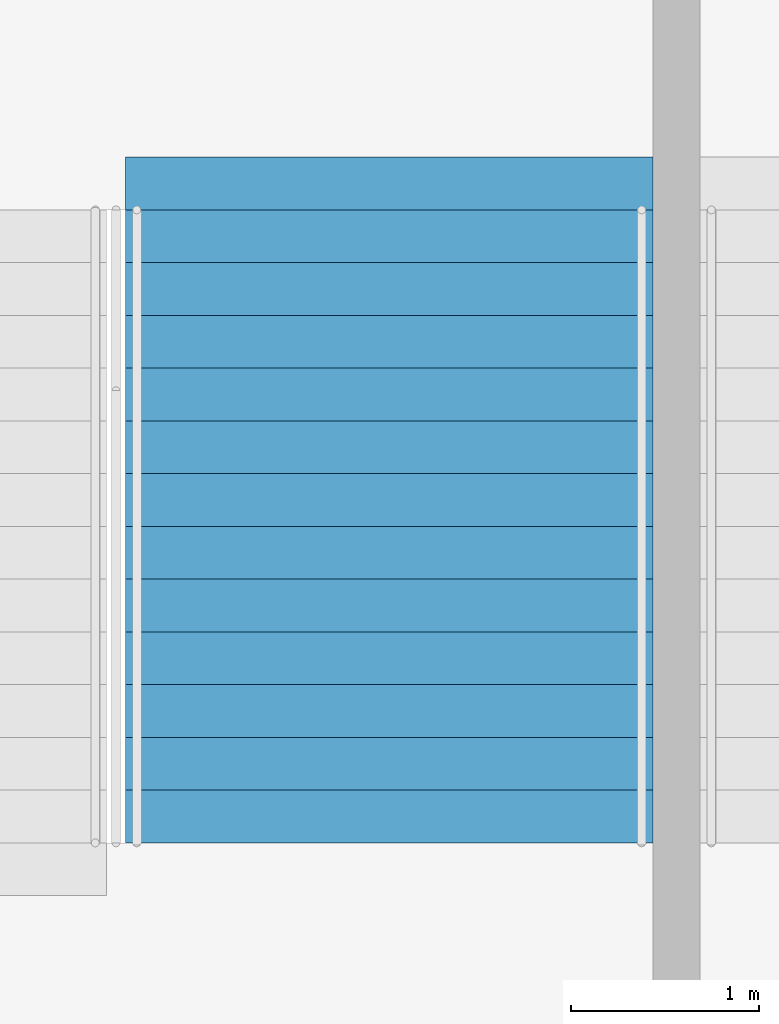
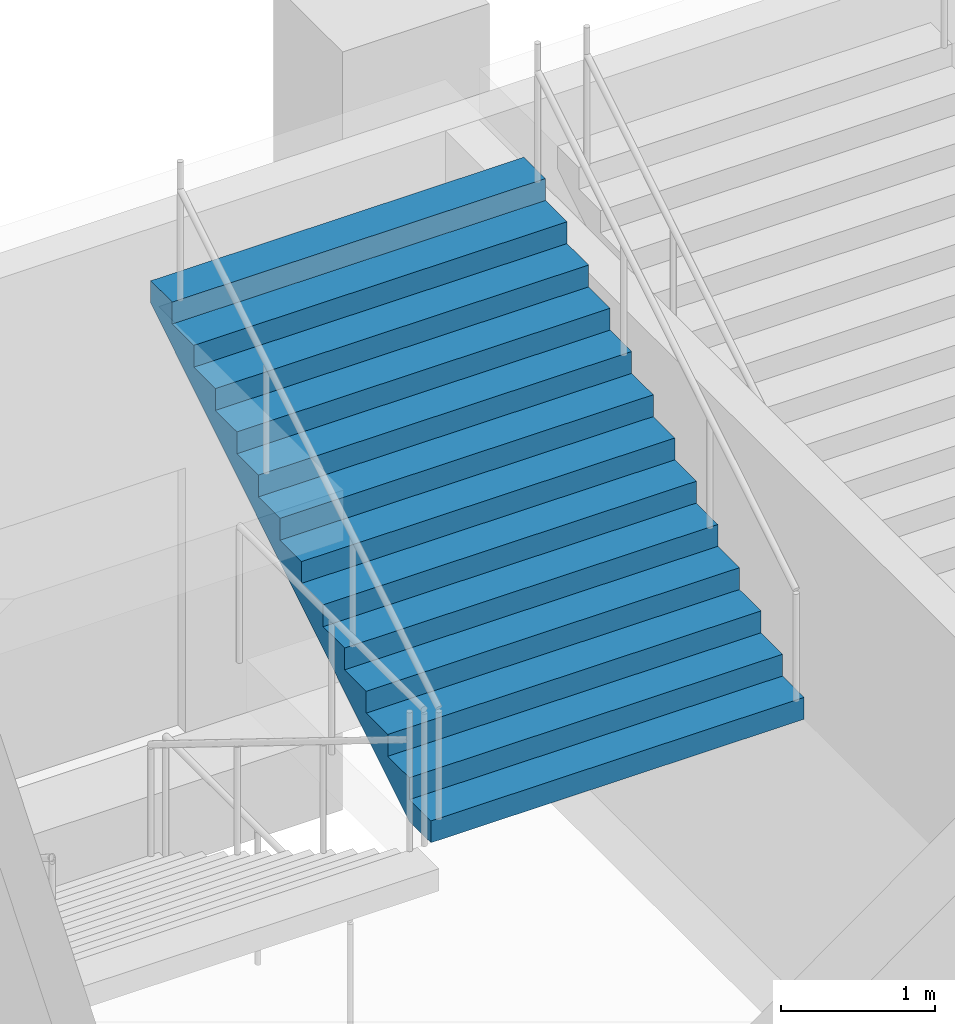
# One storey, part 103 of 177: 1 stair flight, 1 element without a shape of its own.
"""IFC4 building model written with IfcOpenShell, lengths in metres."""

from ifc_helpers import new_model, si_unit, direction, frame, origin, place, context, subcontext, project, spatial, faceted_brep, material, type_object, element, aggregate, save


model = new_model("IFC4")

# Units and contexts
model_context = context("Model", 3, precision=1e-05, world=origin(), true_north=direction((0.0, 1.0)))
body_context = subcontext(model_context, "Body", "Model", "MODEL_VIEW")
ifc_project = project(units=[si_unit("LENGTHUNIT", "METRE"), si_unit("AREAUNIT", "SQUARE_METRE"), si_unit("VOLUMEUNIT", "CUBIC_METRE"), si_unit("PLANEANGLEUNIT", "RADIAN"), si_unit("MASSUNIT", "GRAM", prefix="KILO")], contexts=[model_context])

# Site, building, storey
site_placement = place(None, origin())
site = spatial("IfcSite", under=ifc_project, at=site_placement, CompositionType="ELEMENT")
building_placement = place(site_placement, origin())
building = spatial("IfcBuilding", under=site, at=building_placement, Name="Ogive Plaza Stadium", CompositionType="ELEMENT")
storey_placement = place(building_placement, frame((0.0, 0.0, 18.0)))
storey = spatial("IfcBuildingStorey", under=building, at=storey_placement, Name="L04", CompositionType="ELEMENT", Elevation=18.0)

# Stair, stair flight
ifc_material_1 = material(Name="Concrete C40/50", Category="concrete")
stair_type = type_object("IfcStairType", Name="Exit stair", PredefinedType="STRAIGHT_RUN_STAIR", material=ifc_material_1)
stair_placement = place(storey_placement, origin())
stair = element("IfcStair", 1, at=stair_placement, inside=storey, type_object=stair_type, Name="Exit stair ST12A L04 to L05", PredefinedType="STRAIGHT_RUN_STAIR")
ifc_material_2 = material(Name="Concrete C40/50", Category="concrete")
stair_flight_type = type_object("IfcStairFlightType", Name="Exit stair flight", PredefinedType="STRAIGHT", material=ifc_material_2)
stair_flight_placement = place(storey_placement, frame((32.47509765625, -98.2099609375, 2.25), z_axis=(0.0, 0.0, 1.0), x_axis=(0.0, 1.0, 0.0)))
stair_flight = element("IfcStairFlight", 2, at=stair_flight_placement, type_object=stair_flight_type, Name="ST12A flight 2", NumberOfRisers=13, NumberOfTreads=12, PredefinedType="STRAIGHT", RiserHeight=0.173076923, TreadLength=0.28, context=body_context, shape_type="Brep", body=[
    faceted_brep([(0.28515625, -1.39990234375, 0.0), (3.639892578125, -1.39990234375, 2.07373046875), (3.639892578125, -1.39990234375, 2.25), (3.360107421875, -1.39990234375, 2.25), (3.360107421875, -1.39990234375, 2.076904296875), (3.080078125, -1.39990234375, 2.076904296875), (3.080078125, -1.39990234375, 1.90380859375), (2.800048828125, -1.39990234375, 1.90380859375), (2.800048828125, -1.39990234375, 1.730712890625), (2.52001953125, -1.39990234375, 1.730712890625), (2.52001953125, -1.39990234375, 1.5576171875), (2.239990234375, -1.39990234375, 1.5576171875), (2.239990234375, -1.39990234375, 1.384521484375), (1.9599609375, -1.39990234375, 1.384521484375), (1.9599609375, -1.39990234375, 1.21142578125), (1.679931640625, -1.39990234375, 1.21142578125), (1.679931640625, -1.39990234375, 1.03857421875), (1.39990234375, -1.39990234375, 1.03857421875), (1.39990234375, -1.39990234375, 0.865478515625), (1.1201171875, -1.39990234375, 0.865478515625), (1.1201171875, -1.39990234375, 0.6923828125), (0.840087890625, -1.39990234375, 0.6923828125), (0.840087890625, -1.39990234375, 0.519287109375), (0.56005859375, -1.39990234375, 0.519287109375), (0.56005859375, -1.39990234375, 0.34619140625), (0.280029296875, -1.39990234375, 0.34619140625), (0.280029296875, -1.39990234375, 0.173095703125), (0.0, -1.39990234375, 0.173095703125), (0.0, -1.39990234375, 0.0), (0.0, 1.39990234375, 0.0), (0.0, 1.39990234375, 0.173095703125), (0.280029296875, 1.39990234375, 0.173095703125), (0.280029296875, 1.39990234375, 0.34619140625), (0.56005859375, 1.39990234375, 0.34619140625), (0.56005859375, 1.39990234375, 0.519287109375), (0.840087890625, 1.39990234375, 0.519287109375), (0.840087890625, 1.39990234375, 0.6923828125), (1.1201171875, 1.39990234375, 0.6923828125), (1.1201171875, 1.39990234375, 0.865478515625), (1.39990234375, 1.39990234375, 0.865478515625), (1.39990234375, 1.39990234375, 1.03857421875), (1.679931640625, 1.39990234375, 1.03857421875), (1.679931640625, 1.39990234375, 1.21142578125), (1.9599609375, 1.39990234375, 1.21142578125), (1.9599609375, 1.39990234375, 1.384521484375), (2.239990234375, 1.39990234375, 1.384521484375), (2.239990234375, 1.39990234375, 1.5576171875), (2.52001953125, 1.39990234375, 1.5576171875), (2.52001953125, 1.39990234375, 1.730712890625), (2.800048828125, 1.39990234375, 1.730712890625), (2.800048828125, 1.39990234375, 1.90380859375), (3.080078125, 1.39990234375, 1.90380859375), (3.080078125, 1.39990234375, 2.076904296875), (3.360107421875, 1.39990234375, 2.076904296875), (3.360107421875, 1.39990234375, 2.25), (3.639892578125, 1.39990234375, 2.25), (3.639892578125, 1.39990234375, 2.07373046875), (0.28515625, 1.39990234375, 0.0), (0.28515625, -1.0888671875, 0.0), (3.639892578125, -1.0888671875, 2.07373046875), (0.28515625, -0.77783203125, 0.0), (3.639892578125, -0.77783203125, 2.07373046875), (0.28515625, -0.466796875, 0.0), (3.639892578125, -0.466796875, 2.07373046875), (0.28515625, -0.155517578125, 0.0), (3.639892578125, -0.155517578125, 2.07373046875), (0.28515625, 0.155517578125, 0.0), (3.639892578125, 0.155517578125, 2.07373046875), (0.28515625, 0.466796875, 0.0), (3.639892578125, 0.466796875, 2.07373046875), (0.28515625, 0.77783203125, 0.0), (3.639892578125, 0.77783203125, 2.07373046875), (0.28515625, 1.0888671875, 0.0), (3.639892578125, 1.0888671875, 2.07373046875), (3.639892578125, -1.0888671875, 2.25), (3.639892578125, -0.77783203125, 2.25), (3.639892578125, -0.466796875, 2.25), (3.639892578125, -0.155517578125, 2.25), (3.639892578125, 0.155517578125, 2.25), (3.639892578125, 0.466796875, 2.25), (3.639892578125, 0.77783203125, 2.25), (3.639892578125, 1.0888671875, 2.25), (3.360107421875, -1.0888671875, 2.25), (3.360107421875, -0.77783203125, 2.25), (3.360107421875, -0.466796875, 2.25), (3.360107421875, -0.155517578125, 2.25), (3.360107421875, 0.155517578125, 2.25), (3.360107421875, 0.466796875, 2.25), (3.360107421875, 0.77783203125, 2.25), (3.360107421875, 1.0888671875, 2.25), (3.360107421875, -1.0888671875, 2.076904296875), (3.360107421875, -0.77783203125, 2.076904296875), (3.360107421875, -0.466796875, 2.076904296875), (3.360107421875, -0.155517578125, 2.076904296875), (3.360107421875, 0.155517578125, 2.076904296875), (3.360107421875, 0.466796875, 2.076904296875), (3.360107421875, 0.77783203125, 2.076904296875), (3.360107421875, 1.0888671875, 2.076904296875), (3.080078125, -1.0888671875, 2.076904296875), (3.080078125, -0.77783203125, 2.076904296875), (3.080078125, -0.466796875, 2.076904296875), (3.080078125, -0.155517578125, 2.076904296875), (3.080078125, 0.155517578125, 2.076904296875), (3.080078125, 0.466796875, 2.076904296875), (3.080078125, 0.77783203125, 2.076904296875), (3.080078125, 1.0888671875, 2.076904296875), (3.080078125, -1.0888671875, 1.90380859375), (3.080078125, -0.77783203125, 1.90380859375), (3.080078125, -0.466796875, 1.90380859375), (3.080078125, -0.155517578125, 1.90380859375), (3.080078125, 0.155517578125, 1.90380859375), (3.080078125, 0.466796875, 1.90380859375), (3.080078125, 0.77783203125, 1.90380859375), (3.080078125, 1.0888671875, 1.90380859375), (2.800048828125, -1.0888671875, 1.90380859375), (2.800048828125, -0.77783203125, 1.90380859375), (2.800048828125, -0.466796875, 1.90380859375), (2.800048828125, -0.155517578125, 1.90380859375), (2.800048828125, 0.155517578125, 1.90380859375), (2.800048828125, 0.466796875, 1.90380859375), (2.800048828125, 0.77783203125, 1.90380859375), (2.800048828125, 1.0888671875, 1.90380859375), (2.800048828125, -1.0888671875, 1.730712890625), (2.800048828125, -0.77783203125, 1.730712890625), (2.800048828125, -0.466796875, 1.730712890625), (2.800048828125, -0.155517578125, 1.730712890625), (2.800048828125, 0.155517578125, 1.730712890625), (2.800048828125, 0.466796875, 1.730712890625), (2.800048828125, 0.77783203125, 1.730712890625), (2.800048828125, 1.0888671875, 1.730712890625), (2.52001953125, -1.0888671875, 1.730712890625), (2.52001953125, -0.77783203125, 1.730712890625), (2.52001953125, -0.466796875, 1.730712890625), (2.52001953125, -0.155517578125, 1.730712890625), (2.52001953125, 0.155517578125, 1.730712890625), (2.52001953125, 0.466796875, 1.730712890625), (2.52001953125, 0.77783203125, 1.730712890625), (2.52001953125, 1.0888671875, 1.730712890625), (2.52001953125, -1.0888671875, 1.5576171875), (2.52001953125, -0.77783203125, 1.5576171875), (2.52001953125, -0.466796875, 1.5576171875), (2.52001953125, -0.155517578125, 1.5576171875), (2.52001953125, 0.155517578125, 1.5576171875), (2.52001953125, 0.466796875, 1.5576171875), (2.52001953125, 0.77783203125, 1.5576171875), (2.52001953125, 1.0888671875, 1.5576171875), (2.239990234375, -1.0888671875, 1.5576171875), (2.239990234375, -0.77783203125, 1.5576171875), (2.239990234375, -0.466796875, 1.5576171875), (2.239990234375, -0.155517578125, 1.5576171875), (2.239990234375, 0.155517578125, 1.5576171875), (2.239990234375, 0.466796875, 1.5576171875), (2.239990234375, 0.77783203125, 1.5576171875), (2.239990234375, 1.0888671875, 1.5576171875), (2.239990234375, -1.0888671875, 1.384521484375), (2.239990234375, -0.77783203125, 1.384521484375), (2.239990234375, -0.466796875, 1.384521484375), (2.239990234375, -0.155517578125, 1.384521484375), (2.239990234375, 0.155517578125, 1.384521484375), (2.239990234375, 0.466796875, 1.384521484375), (2.239990234375, 0.77783203125, 1.384521484375), (2.239990234375, 1.0888671875, 1.384521484375), (1.9599609375, -1.0888671875, 1.384521484375), (1.9599609375, -0.77783203125, 1.384521484375), (1.9599609375, -0.466796875, 1.384521484375), (1.9599609375, -0.155517578125, 1.384521484375), (1.9599609375, 0.155517578125, 1.384521484375), (1.9599609375, 0.466796875, 1.384521484375), (1.9599609375, 0.77783203125, 1.384521484375), (1.9599609375, 1.0888671875, 1.384521484375), (1.9599609375, -1.0888671875, 1.21142578125), (1.9599609375, -0.77783203125, 1.21142578125), (1.9599609375, -0.466796875, 1.21142578125), (1.9599609375, -0.155517578125, 1.21142578125), (1.9599609375, 0.155517578125, 1.21142578125), (1.9599609375, 0.466796875, 1.21142578125), (1.9599609375, 0.77783203125, 1.21142578125), (1.9599609375, 1.0888671875, 1.21142578125), (1.679931640625, -1.0888671875, 1.21142578125), (1.679931640625, -0.77783203125, 1.21142578125), (1.679931640625, -0.466796875, 1.21142578125), (1.679931640625, -0.155517578125, 1.21142578125), (1.679931640625, 0.155517578125, 1.21142578125), (1.679931640625, 0.466796875, 1.21142578125), (1.679931640625, 0.77783203125, 1.21142578125), (1.679931640625, 1.0888671875, 1.21142578125), (1.679931640625, -1.0888671875, 1.03857421875), (1.679931640625, -0.77783203125, 1.03857421875), (1.679931640625, -0.466796875, 1.03857421875), (1.679931640625, -0.155517578125, 1.03857421875), (1.679931640625, 0.155517578125, 1.03857421875), (1.679931640625, 0.466796875, 1.03857421875), (1.679931640625, 0.77783203125, 1.03857421875), (1.679931640625, 1.0888671875, 1.03857421875), (1.39990234375, -1.0888671875, 1.03857421875), (1.39990234375, -0.77783203125, 1.03857421875), (1.39990234375, -0.466796875, 1.03857421875), (1.39990234375, -0.155517578125, 1.03857421875), (1.39990234375, 0.155517578125, 1.03857421875), (1.39990234375, 0.466796875, 1.03857421875), (1.39990234375, 0.77783203125, 1.03857421875), (1.39990234375, 1.0888671875, 1.03857421875), (1.39990234375, -1.0888671875, 0.865478515625), (1.39990234375, -0.77783203125, 0.865478515625), (1.39990234375, -0.466796875, 0.865478515625), (1.39990234375, -0.155517578125, 0.865478515625), (1.39990234375, 0.155517578125, 0.865478515625), (1.39990234375, 0.466796875, 0.865478515625), (1.39990234375, 0.77783203125, 0.865478515625), (1.39990234375, 1.0888671875, 0.865478515625), (1.1201171875, -1.0888671875, 0.865478515625), (1.1201171875, -0.77783203125, 0.865478515625), (1.1201171875, -0.466796875, 0.865478515625), (1.1201171875, -0.155517578125, 0.865478515625), (1.1201171875, 0.155517578125, 0.865478515625), (1.1201171875, 0.466796875, 0.865478515625), (1.1201171875, 0.77783203125, 0.865478515625), (1.1201171875, 1.0888671875, 0.865478515625), (1.1201171875, -1.0888671875, 0.6923828125), (1.1201171875, -0.77783203125, 0.6923828125), (1.1201171875, -0.466796875, 0.6923828125), (1.1201171875, -0.155517578125, 0.6923828125), (1.1201171875, 0.155517578125, 0.6923828125), (1.1201171875, 0.466796875, 0.6923828125), (1.1201171875, 0.77783203125, 0.6923828125), (1.1201171875, 1.0888671875, 0.6923828125), (0.840087890625, -1.0888671875, 0.6923828125), (0.840087890625, -0.77783203125, 0.6923828125), (0.840087890625, -0.466796875, 0.6923828125), (0.840087890625, -0.155517578125, 0.6923828125), (0.840087890625, 0.155517578125, 0.6923828125), (0.840087890625, 0.466796875, 0.6923828125), (0.840087890625, 0.77783203125, 0.6923828125), (0.840087890625, 1.0888671875, 0.6923828125), (0.840087890625, -1.0888671875, 0.519287109375), (0.840087890625, -0.77783203125, 0.519287109375), (0.840087890625, -0.466796875, 0.519287109375), (0.840087890625, -0.155517578125, 0.519287109375), (0.840087890625, 0.155517578125, 0.519287109375), (0.840087890625, 0.466796875, 0.519287109375), (0.840087890625, 0.77783203125, 0.519287109375), (0.840087890625, 1.0888671875, 0.519287109375), (0.56005859375, -1.0888671875, 0.519287109375), (0.56005859375, -0.77783203125, 0.519287109375), (0.56005859375, -0.466796875, 0.519287109375), (0.56005859375, -0.155517578125, 0.519287109375), (0.56005859375, 0.155517578125, 0.519287109375), (0.56005859375, 0.466796875, 0.519287109375), (0.56005859375, 0.77783203125, 0.519287109375), (0.56005859375, 1.0888671875, 0.519287109375), (0.56005859375, -1.0888671875, 0.34619140625), (0.56005859375, -0.77783203125, 0.34619140625), (0.56005859375, -0.466796875, 0.34619140625), (0.56005859375, -0.155517578125, 0.34619140625), (0.56005859375, 0.155517578125, 0.34619140625), (0.56005859375, 0.466796875, 0.34619140625), (0.56005859375, 0.77783203125, 0.34619140625), (0.56005859375, 1.0888671875, 0.34619140625), (0.280029296875, -1.0888671875, 0.34619140625), (0.280029296875, -0.77783203125, 0.34619140625), (0.280029296875, -0.466796875, 0.34619140625), (0.280029296875, -0.155517578125, 0.34619140625), (0.280029296875, 0.155517578125, 0.34619140625), (0.280029296875, 0.466796875, 0.34619140625), (0.280029296875, 0.77783203125, 0.34619140625), (0.280029296875, 1.0888671875, 0.34619140625), (0.280029296875, -1.0888671875, 0.173095703125), (0.280029296875, -0.77783203125, 0.173095703125), (0.280029296875, -0.466796875, 0.173095703125), (0.280029296875, -0.155517578125, 0.173095703125), (0.280029296875, 0.155517578125, 0.173095703125), (0.280029296875, 0.466796875, 0.173095703125), (0.280029296875, 0.77783203125, 0.173095703125), (0.280029296875, 1.0888671875, 0.173095703125), (0.0, -1.0888671875, 0.173095703125), (0.0, -0.77783203125, 0.173095703125), (0.0, -0.466796875, 0.173095703125), (0.0, -0.155517578125, 0.173095703125), (0.0, 0.155517578125, 0.173095703125), (0.0, 0.466796875, 0.173095703125), (0.0, 0.77783203125, 0.173095703125), (0.0, 1.0888671875, 0.173095703125), (0.0, -1.0888671875, 0.0), (0.0, -0.77783203125, 0.0), (0.0, -0.466796875, 0.0), (0.0, -0.155517578125, 0.0), (0.0, 0.155517578125, 0.0), (0.0, 0.466796875, 0.0), (0.0, 0.77783203125, 0.0), (0.0, 1.0888671875, 0.0)], [[[0, 1, 2, 3, 4, 5, 6, 7, 8, 9, 10, 11, 12, 13, 14, 15, 16, 17, 18, 19, 20, 21, 22, 23, 24, 25, 26, 27, 28]], [[29, 30, 31, 32, 33, 34, 35, 36, 37, 38, 39, 40, 41, 42, 43, 44, 45, 46, 47, 48, 49, 50, 51, 52, 53, 54, 55, 56, 57]], [[0, 58, 59, 1]], [[58, 60, 61, 59]], [[60, 62, 63, 61]], [[62, 64, 65, 63]], [[64, 66, 67, 65]], [[66, 68, 69, 67]], [[68, 70, 71, 69]], [[70, 72, 73, 71]], [[72, 57, 56, 73]], [[1, 59, 74, 2]], [[59, 61, 75, 74]], [[61, 63, 76, 75]], [[63, 65, 77, 76]], [[65, 67, 78, 77]], [[67, 69, 79, 78]], [[69, 71, 80, 79]], [[71, 73, 81, 80]], [[73, 56, 55, 81]], [[2, 74, 82, 3]], [[74, 75, 83, 82]], [[75, 76, 84, 83]], [[76, 77, 85, 84]], [[77, 78, 86, 85]], [[78, 79, 87, 86]], [[79, 80, 88, 87]], [[80, 81, 89, 88]], [[81, 55, 54, 89]], [[3, 82, 90, 4]], [[82, 83, 91, 90]], [[83, 84, 92, 91]], [[84, 85, 93, 92]], [[85, 86, 94, 93]], [[86, 87, 95, 94]], [[87, 88, 96, 95]], [[88, 89, 97, 96]], [[89, 54, 53, 97]], [[4, 90, 98, 5]], [[90, 91, 99, 98]], [[91, 92, 100, 99]], [[92, 93, 101, 100]], [[93, 94, 102, 101]], [[94, 95, 103, 102]], [[95, 96, 104, 103]], [[96, 97, 105, 104]], [[97, 53, 52, 105]], [[5, 98, 106, 6]], [[98, 99, 107, 106]], [[99, 100, 108, 107]], [[100, 101, 109, 108]], [[101, 102, 110, 109]], [[102, 103, 111, 110]], [[103, 104, 112, 111]], [[104, 105, 113, 112]], [[105, 52, 51, 113]], [[6, 106, 114, 7]], [[106, 107, 115, 114]], [[107, 108, 116, 115]], [[108, 109, 117, 116]], [[109, 110, 118, 117]], [[110, 111, 119, 118]], [[111, 112, 120, 119]], [[112, 113, 121, 120]], [[113, 51, 50, 121]], [[7, 114, 122, 8]], [[114, 115, 123, 122]], [[115, 116, 124, 123]], [[116, 117, 125, 124]], [[117, 118, 126, 125]], [[118, 119, 127, 126]], [[119, 120, 128, 127]], [[120, 121, 129, 128]], [[121, 50, 49, 129]], [[8, 122, 130, 9]], [[122, 123, 131, 130]], [[123, 124, 132, 131]], [[124, 125, 133, 132]], [[125, 126, 134, 133]], [[126, 127, 135, 134]], [[127, 128, 136, 135]], [[128, 129, 137, 136]], [[129, 49, 48, 137]], [[9, 130, 138, 10]], [[130, 131, 139, 138]], [[131, 132, 140, 139]], [[132, 133, 141, 140]], [[133, 134, 142, 141]], [[134, 135, 143, 142]], [[135, 136, 144, 143]], [[136, 137, 145, 144]], [[137, 48, 47, 145]], [[10, 138, 146, 11]], [[138, 139, 147, 146]], [[139, 140, 148, 147]], [[140, 141, 149, 148]], [[141, 142, 150, 149]], [[142, 143, 151, 150]], [[143, 144, 152, 151]], [[144, 145, 153, 152]], [[145, 47, 46, 153]], [[11, 146, 154, 12]], [[146, 147, 155, 154]], [[147, 148, 156, 155]], [[148, 149, 157, 156]], [[149, 150, 158, 157]], [[150, 151, 159, 158]], [[151, 152, 160, 159]], [[152, 153, 161, 160]], [[153, 46, 45, 161]], [[12, 154, 162, 13]], [[154, 155, 163, 162]], [[155, 156, 164, 163]], [[156, 157, 165, 164]], [[157, 158, 166, 165]], [[158, 159, 167, 166]], [[159, 160, 168, 167]], [[160, 161, 169, 168]], [[161, 45, 44, 169]], [[13, 162, 170, 14]], [[162, 163, 171, 170]], [[163, 164, 172, 171]], [[164, 165, 173, 172]], [[165, 166, 174, 173]], [[166, 167, 175, 174]], [[167, 168, 176, 175]], [[168, 169, 177, 176]], [[169, 44, 43, 177]], [[14, 170, 178, 15]], [[170, 171, 179, 178]], [[171, 172, 180, 179]], [[172, 173, 181, 180]], [[173, 174, 182, 181]], [[174, 175, 183, 182]], [[175, 176, 184, 183]], [[176, 177, 185, 184]], [[177, 43, 42, 185]], [[15, 178, 186, 16]], [[178, 179, 187, 186]], [[179, 180, 188, 187]], [[180, 181, 189, 188]], [[181, 182, 190, 189]], [[182, 183, 191, 190]], [[183, 184, 192, 191]], [[184, 185, 193, 192]], [[185, 42, 41, 193]], [[16, 186, 194, 17]], [[186, 187, 195, 194]], [[187, 188, 196, 195]], [[188, 189, 197, 196]], [[189, 190, 198, 197]], [[190, 191, 199, 198]], [[191, 192, 200, 199]], [[192, 193, 201, 200]], [[193, 41, 40, 201]], [[17, 194, 202, 18]], [[194, 195, 203, 202]], [[195, 196, 204, 203]], [[196, 197, 205, 204]], [[197, 198, 206, 205]], [[198, 199, 207, 206]], [[199, 200, 208, 207]], [[200, 201, 209, 208]], [[201, 40, 39, 209]], [[18, 202, 210, 19]], [[202, 203, 211, 210]], [[203, 204, 212, 211]], [[204, 205, 213, 212]], [[205, 206, 214, 213]], [[206, 207, 215, 214]], [[207, 208, 216, 215]], [[208, 209, 217, 216]], [[209, 39, 38, 217]], [[19, 210, 218, 20]], [[210, 211, 219, 218]], [[211, 212, 220, 219]], [[212, 213, 221, 220]], [[213, 214, 222, 221]], [[214, 215, 223, 222]], [[215, 216, 224, 223]], [[216, 217, 225, 224]], [[217, 38, 37, 225]], [[20, 218, 226, 21]], [[218, 219, 227, 226]], [[219, 220, 228, 227]], [[220, 221, 229, 228]], [[221, 222, 230, 229]], [[222, 223, 231, 230]], [[223, 224, 232, 231]], [[224, 225, 233, 232]], [[225, 37, 36, 233]], [[21, 226, 234, 22]], [[226, 227, 235, 234]], [[227, 228, 236, 235]], [[228, 229, 237, 236]], [[229, 230, 238, 237]], [[230, 231, 239, 238]], [[231, 232, 240, 239]], [[232, 233, 241, 240]], [[233, 36, 35, 241]], [[22, 234, 242, 23]], [[234, 235, 243, 242]], [[235, 236, 244, 243]], [[236, 237, 245, 244]], [[237, 238, 246, 245]], [[238, 239, 247, 246]], [[239, 240, 248, 247]], [[240, 241, 249, 248]], [[241, 35, 34, 249]], [[23, 242, 250, 24]], [[242, 243, 251, 250]], [[243, 244, 252, 251]], [[244, 245, 253, 252]], [[245, 246, 254, 253]], [[246, 247, 255, 254]], [[247, 248, 256, 255]], [[248, 249, 257, 256]], [[249, 34, 33, 257]], [[24, 250, 258, 25]], [[250, 251, 259, 258]], [[251, 252, 260, 259]], [[252, 253, 261, 260]], [[253, 254, 262, 261]], [[254, 255, 263, 262]], [[255, 256, 264, 263]], [[256, 257, 265, 264]], [[257, 33, 32, 265]], [[25, 258, 266, 26]], [[258, 259, 267, 266]], [[259, 260, 268, 267]], [[260, 261, 269, 268]], [[261, 262, 270, 269]], [[262, 263, 271, 270]], [[263, 264, 272, 271]], [[264, 265, 273, 272]], [[265, 32, 31, 273]], [[26, 266, 274, 27]], [[266, 267, 275, 274]], [[267, 268, 276, 275]], [[268, 269, 277, 276]], [[269, 270, 278, 277]], [[270, 271, 279, 278]], [[271, 272, 280, 279]], [[272, 273, 281, 280]], [[273, 31, 30, 281]], [[27, 274, 282, 28]], [[274, 275, 283, 282]], [[275, 276, 284, 283]], [[276, 277, 285, 284]], [[277, 278, 286, 285]], [[278, 279, 287, 286]], [[279, 280, 288, 287]], [[280, 281, 289, 288]], [[281, 30, 29, 289]], [[28, 282, 58, 0]], [[282, 283, 60, 58]], [[283, 284, 62, 60]], [[284, 285, 64, 62]], [[285, 286, 66, 64]], [[286, 287, 68, 66]], [[287, 288, 70, 68]], [[288, 289, 72, 70]], [[289, 29, 57, 72]]]),
])
aggregate(stair, [stair_flight])

save(model, "model.ifc")
